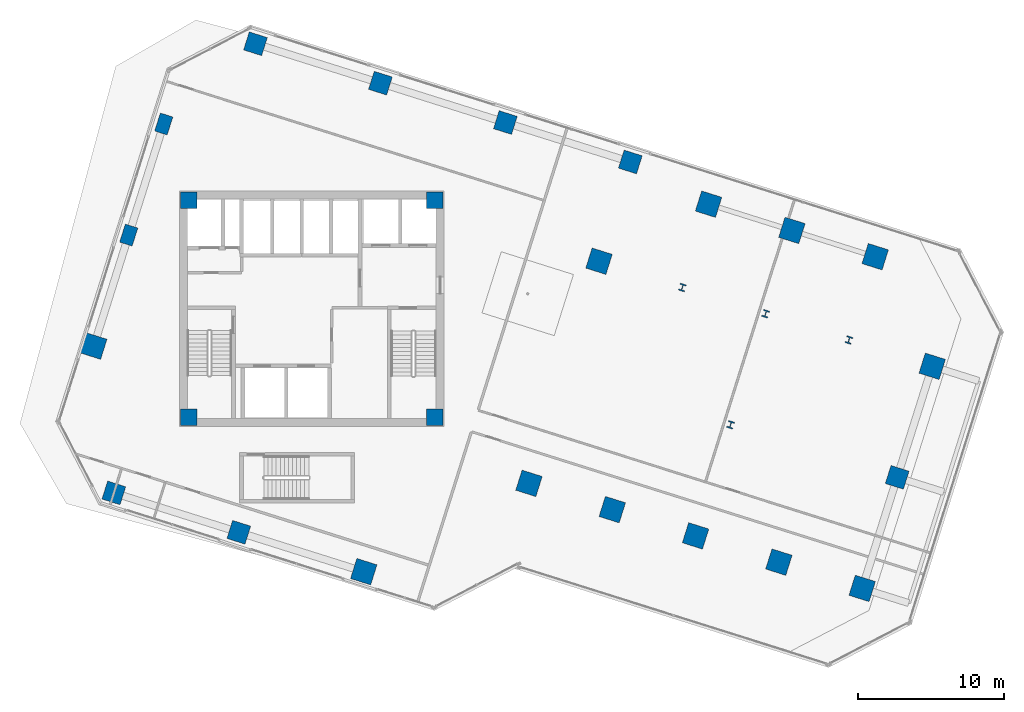
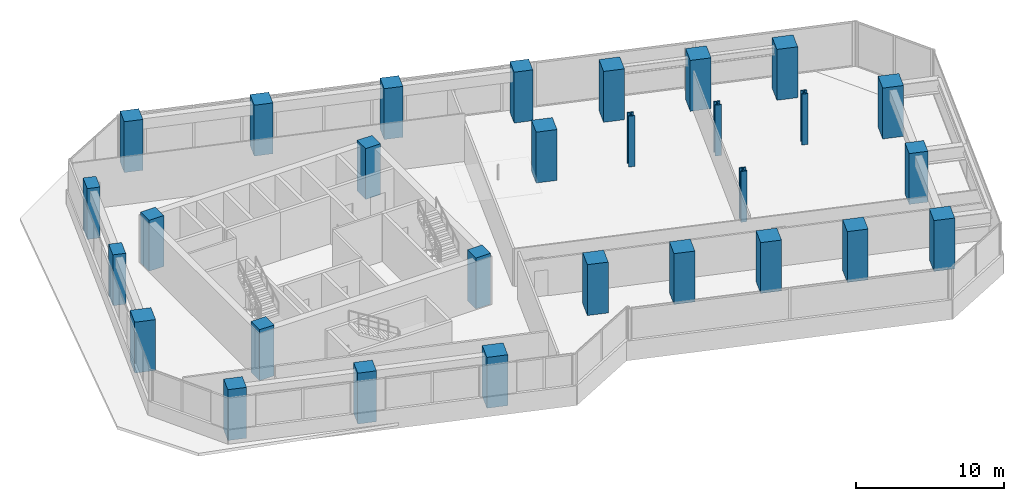
# One storey, part 1 of 28: 29 columns.
"""IFC4 building model written with IfcOpenShell, lengths in metres."""

from ifc_helpers import new_model, si_unit, direction, frame, origin, origin_2d, place, context, subcontext, project, spatial, rectangle, i_section, extrude, source, transform, mapped, material, material_profile, profile_set, type_object, element, save


model = new_model("IFC4")

# Units and contexts
model_context = context("Model", 3, precision=1e-05, world=origin(), true_north=direction((0.0, 1.0)))
body_context = subcontext(model_context, "Body", "Model", "MODEL_VIEW")
ifc_project = project(units=[si_unit("LENGTHUNIT", "METRE"), si_unit("AREAUNIT", "SQUARE_METRE"), si_unit("VOLUMEUNIT", "CUBIC_METRE"), si_unit("PLANEANGLEUNIT", "RADIAN"), si_unit("MASSUNIT", "GRAM", prefix="KILO")], contexts=[model_context])

# Site, building, storey
site_placement = place(None, origin())
site = spatial("IfcSite", under=ifc_project, at=site_placement, CompositionType="ELEMENT")
building_placement = place(site_placement, origin())
building = spatial("IfcBuilding", under=site, at=building_placement, Name="Torre Montelarca", CompositionType="ELEMENT")
storey_placement = place(building_placement, frame((0.0, 0.0, 112.60009765625)))
storey = spatial("IfcBuildingStorey", under=building, at=storey_placement, Name="L25", CompositionType="ELEMENT", Elevation=112.60009765625)

# Columns
ifc_material_1 = material(Name="Concrete C55/67", Category="concrete")
ifc_material_profile_1 = material_profile(ifc_material_1, rectangle(XDim=1.14990234375, YDim=1.14990234375, at=origin_2d()), Name="RC1150X1150", Category="concrete")
ifc_profile_set_1 = profile_set([ifc_material_profile_1], Name="Concrete C55/67")
column_type_1 = type_object("IfcColumnType", Name="COL-RC1150", PredefinedType="COLUMN", material=ifc_profile_set_1)
shared_shape_1 = source(origin(), body_context, "Body", "SweptSolid", [
    extrude(rectangle(XDim=1.14990234375, YDim=1.14990234375, at=origin_2d()), origin(), (0.0, 0.0, 1.0), 4.198486328125),
])
for number, where, z_axis, x_axis, name in (
    (1, (9.550048828125, 24.550048828125, 0.000732421875), (0.0, 0.0, 1.0), (1.0, 0.0, 0.0), "L25 Plumb Core Corner Column 2D"),
    (2, (26.449951171875, 24.550048828125, 0.000732421875), (0.0, 0.0, 1.0), (1.0, 0.0, 0.0), "L25 Plumb Core Corner Column 4D"),
    (3, (9.550048828125, 39.449951171875, 0.000732421875), (0.0, 0.0, 1.0), (1.0, 0.0, 0.0), "L25 Plumb Core Corner Column 2F"),
    (4, (26.449951171875, 39.449951171875, 0.000732421875), (0.0, 0.0, 1.0), (1.0, 0.0, 0.0), "L25 Plumb Core Corner Column 4F"),
):
    element("IfcColumn", number, at=place(storey_placement, frame(where, z_axis=z_axis, x_axis=x_axis)), inside=storey, type_object=column_type_1, Name=name, PredefinedType="COLUMN", context=body_context, shape_type="MappedRepresentation", body=[
        mapped(shared_shape_1, transform((0.0, 0.0, 0.0), scale=1.0)),
    ])
ifc_material_2 = material(Name="Concrete C70/85", Category="concrete")
ifc_material_profile_2 = material_profile(ifc_material_2, rectangle(XDim=1.300048828125, YDim=1.300048828125, at=origin_2d()), Name="RC1300X1300", Category="concrete")
ifc_profile_set_2 = profile_set([ifc_material_profile_2], Name="Concrete C70/85")
column_type_2 = type_object("IfcColumnType", Name="COL-RC1300-EXT", PredefinedType="COLUMN", material=ifc_profile_set_2)
shared_shape_2 = source(origin(), body_context, "Body", "SweptSolid", [
    extrude(rectangle(XDim=1.300048828125, YDim=1.300048828125, at=origin_2d()), origin(), (0.0, 0.0, 1.0), 4.198486328125),
])
for number, where, z_axis, x_axis, name in (
    (5, (4.406494140625, 19.35498046875, 0.000732421875), (0.0, 0.0, 1.0), (-0.953716950748, 0.300705799504, 0.0), "L25 Column 2/CS"),
    (6, (14.13427734375, 50.20751953125, 0.000732421875), (0.0, 0.0, 1.0), (-0.953716950748, 0.300705799504, 0.0), "L25 Column 2/GN"),
    (7, (12.989990234375, 16.6484375, 0.000732421875), (0.0, 0.0, 1.0), (-0.953716950748, 0.300705799504, 0.0), "L25 Column 3/CS"),
    (8, (22.7177734375, 47.501220703125, 0.000732421875), (0.0, 0.0, 1.0), (-0.953716950748, 0.300705799504, 0.0), "L25 Column 3/GN"),
    (9, (31.301025390625, 44.794921875, 0.000732421875), (0.0, 0.0, 1.0), (-0.953716950748, 0.300705799504, 0.0), "L25 Column 4/GN"),
    (10, (39.884521484375, 42.088623046875, 0.000732421875), (0.0, 0.0, 1.0), (-0.953716950748, 0.300705799504, 0.0), "L25 Column 5/GN"),
    (11, (58.218017578125, 20.4228515625, 0.000732421875), (0.0, 0.0, 1.0), (-0.953716950748, 0.300705799504, 0.0), "L25 Column 9/E"),
):
    element("IfcColumn", number, at=place(storey_placement, frame(where, z_axis=z_axis, x_axis=x_axis)), inside=storey, type_object=column_type_2, Name=name, PredefinedType="COLUMN", context=body_context, shape_type="MappedRepresentation", body=[
        mapped(shared_shape_2, transform((0.0, 0.0, 0.0), scale=1.0)),
    ])
ifc_material_profile_3 = material_profile(ifc_material_2, rectangle(XDim=1.449951171875, YDim=1.449951171875, at=origin_2d()), Name="RC1450X1450", Category="concrete")
ifc_profile_set_3 = profile_set([ifc_material_profile_3], Name="Concrete C70/85")
column_type_3 = type_object("IfcColumnType", Name="COL-RC1450-EXT", PredefinedType="COLUMN", material=ifc_profile_set_3)
shared_shape_3 = source(origin(), body_context, "Body", "SweptSolid", [
    extrude(rectangle(XDim=1.449951171875, YDim=1.449951171875, at=origin_2d()), origin(), (0.0, 0.0, 1.0), 4.198486328125),
])
for number, where, z_axis, x_axis, name in (
    (12, (21.5732421875, 13.942138671875, 0.000732421875), (0.0, 0.0, 1.0), (-0.953716950748, 0.300705799504, 0.0), "L25 Perimeter Mega Column 4/CS"),
    (13, (55.8125, 12.793212890625, 0.000732421875), (0.0, 0.0, 1.0), (-0.953716950748, 0.300705799504, 0.0), "L25 Perimeter Mega Column 9/D"),
    (14, (60.623779296875, 28.052490234375, 0.000732421875), (0.0, 0.0, 1.0), (-0.953716950748, 0.300705799504, 0.0), "L25 Perimeter Mega Column 9/F"),
    (15, (3.024169921875, 29.437255859375, 0.000732421875), (0.0, 0.0, 1.0), (-0.953716950748, 0.300705799504, 0.0), "L25 Perimeter Mega Column 1W/D"),
):
    element("IfcColumn", number, at=place(storey_placement, frame(where, z_axis=z_axis, x_axis=x_axis)), inside=storey, type_object=column_type_3, Name=name, PredefinedType="COLUMN", context=body_context, shape_type="MappedRepresentation", body=[
        mapped(shared_shape_3, transform((0.0, 0.0, 0.0), scale=1.0)),
    ])
ifc_material_profile_4 = material_profile(ifc_material_2, rectangle(XDim=1.449951171875, YDim=1.449951171875, at=origin_2d()), Name="RC1450X1450", Category="concrete")
ifc_profile_set_4 = profile_set([ifc_material_profile_4], Name="Concrete C70/85")
column_type_4 = type_object("IfcColumnType", Name="COL-RC1450", PredefinedType="COLUMN", material=ifc_profile_set_4)
shared_shape_4 = source(origin(), body_context, "Body", "SweptSolid", [
    extrude(rectangle(XDim=1.449951171875, YDim=1.449951171875, at=origin_2d()), origin(), (0.0, 0.0, 1.0), 4.198486328125),
])
for number, where, z_axis, x_axis, name in (
    (16, (32.923095703125, 20.010009765625, 0.000732421875), (0.0, 0.0, 1.0), (-0.953716950748, 0.300705799504, 0.0), "L25 Column 5/D"),
    (17, (37.734619140625, 35.26953125, 0.000732421875), (0.0, 0.0, 1.0), (-0.953716950748, 0.300705799504, 0.0), "L25 Column 5/F"),
    (18, (38.6455078125, 18.205810546875, 0.000732421875), (0.0, 0.0, 1.0), (-0.953716950748, 0.300705799504, 0.0), "L25 Column 6/D"),
    (19, (45.260986328125, 39.1875, 0.000732421875), (0.0, 0.0, 1.0), (-0.953716950748, 0.300705799504, 0.0), "L25 Column 6/G"),
    (20, (44.367919921875, 16.401611328125, 0.000732421875), (0.0, 0.0, 1.0), (-0.953716950748, 0.300705799504, 0.0), "L25 Column 7/D"),
    (21, (50.9833984375, 37.38330078125, 0.000732421875), (0.0, 0.0, 1.0), (-0.953716950748, 0.300705799504, 0.0), "L25 Column 7/G"),
    (22, (50.090087890625, 14.597412109375, 0.000732421875), (0.0, 0.0, 1.0), (-0.953716950748, 0.300705799504, 0.0), "L25 Column 8/D"),
    (23, (56.705810546875, 35.5791015625, 0.000732421875), (0.0, 0.0, 1.0), (-0.953716950748, 0.300705799504, 0.0), "L25 Column 8/G"),
):
    element("IfcColumn", number, at=place(storey_placement, frame(where, z_axis=z_axis, x_axis=x_axis)), inside=storey, type_object=column_type_4, Name=name, PredefinedType="COLUMN", context=body_context, shape_type="MappedRepresentation", body=[
        mapped(shared_shape_4, transform((0.0, 0.0, 0.0), scale=1.0)),
    ])
ifc_material_3 = material(Name="Steel ASTM A992 Grade 50", Category="steel")
ifc_material_profile_5 = material_profile(ifc_material_3, i_section(OverallWidth=0.431884765625, OverallDepth=0.498046875, WebThickness=0.0556640625, FlangeThickness=0.0888671875, FilletRadius=0.014892578125, at=origin_2d()), Name="W360X744", Category="steel")
ifc_profile_set_5 = profile_set([ifc_material_profile_5], Name="Steel ASTM A992 Grade 50")
column_type_5 = type_object("IfcColumnType", Name="COL-W360X744", PredefinedType="COLUMN", material=ifc_profile_set_5)
shared_shape_5 = source(origin(), body_context, "Body", "SweptSolid", [
    extrude(i_section(OverallWidth=0.431884765625, OverallDepth=0.498046875, WebThickness=0.0556640625, FlangeThickness=0.0888671875, FilletRadius=0.014892578125, at=origin_2d()), origin(), (0.0, 0.0, 1.0), 4.198486328125),
])
for number, where, z_axis, x_axis, name in (
    (24, (43.456787109375, 33.46533203125, 0.000732421875), (0.0, 0.0, 1.0), (-0.953716950748, 0.300705799504, 0.0), "L25 Column 6/F"),
    (25, (46.7734375, 24.03125, 0.000732421875), (0.0, 0.0, 1.0), (-0.953716950748, 0.300705799504, 0.0), "L25 Column 7/E"),
    (26, (49.17919921875, 31.660888671875, 0.000732421875), (0.0, 0.0, 1.0), (-0.953716950748, 0.300705799504, 0.0), "L25 Column 7/F"),
    (27, (54.9013671875, 29.856689453125, 0.000732421875), (0.0, 0.0, 1.0), (-0.953716950748, 0.300705799504, 0.0), "L25 Column 8/F"),
):
    element("IfcColumn", number, at=place(storey_placement, frame(where, z_axis=z_axis, x_axis=x_axis)), inside=storey, type_object=column_type_5, Name=name, PredefinedType="COLUMN", context=body_context, shape_type="MappedRepresentation", body=[
        mapped(shared_shape_5, transform((0.0, 0.0, 0.0), scale=1.0)),
    ])
ifc_material_profile_6 = material_profile(ifc_material_1, rectangle(XDim=0.89990234375, YDim=1.300048828125, at=origin_2d()), Name="RC1300X900", Category="concrete")
ifc_profile_set_6 = profile_set([ifc_material_profile_6], Name="Concrete C55/67")
column_type_6 = type_object("IfcColumnType", Name="COL-PIL1300-EXT", PredefinedType="PILASTER", material=ifc_profile_set_6)
shared_shape_6 = source(origin(), body_context, "Body", "SweptSolid", [
    extrude(rectangle(XDim=0.89990234375, YDim=1.300048828125, at=origin_2d()), origin(), (0.0, 0.0, 1.0), 4.198486328125),
])
for number, where, z_axis, x_axis, name in (
    (28, (5.429931640625, 37.06689453125, 0.000732421875), (0.0, 0.0, 1.0), (-0.953716950748, 0.300705799504, 0.0), "L25 Column 1W/E"),
    (29, (7.83544921875, 44.696533203125, 0.000732421875), (0.0, 0.0, 1.0), (-0.953716950748, 0.300705799504, 0.0), "L25 Column 1W/F"),
):
    element("IfcColumn", number, at=place(storey_placement, frame(where, z_axis=z_axis, x_axis=x_axis)), inside=storey, type_object=column_type_6, Name=name, PredefinedType="PILASTER", context=body_context, shape_type="MappedRepresentation", body=[
        mapped(shared_shape_6, transform((0.0, 0.0, 0.0), scale=1.0)),
    ])

save(model, "model.ifc")
